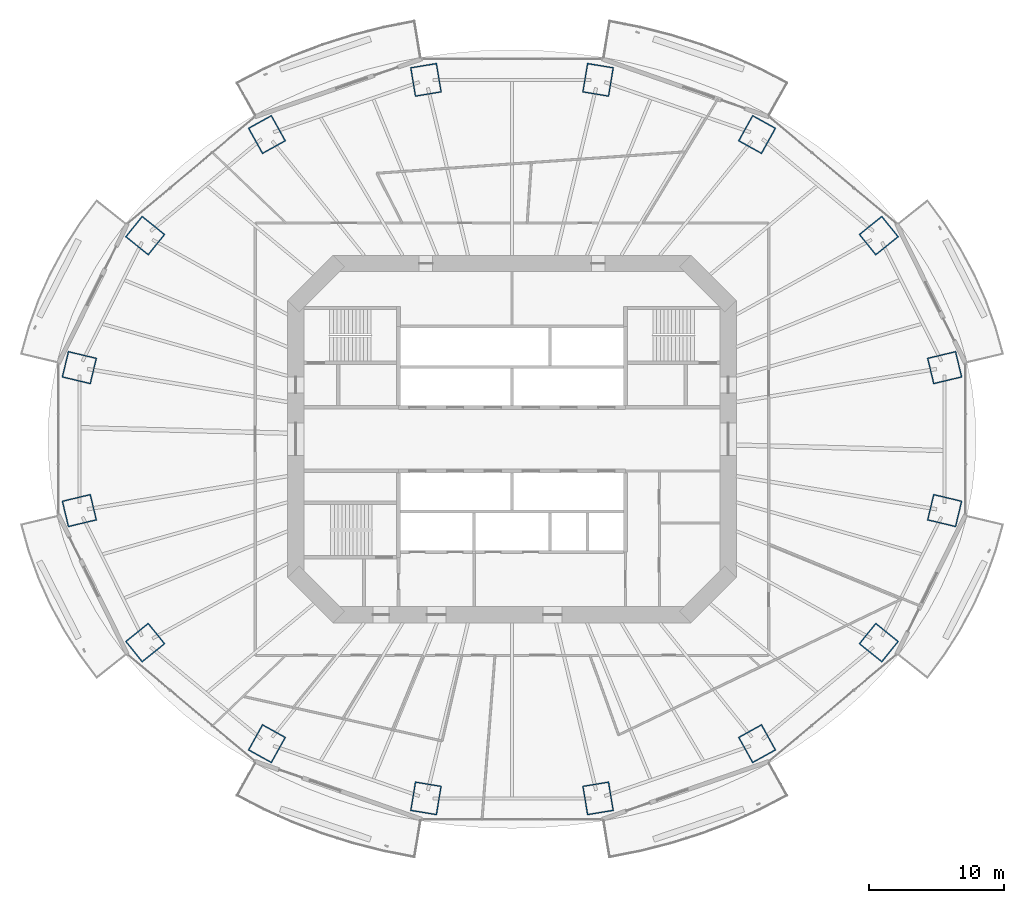
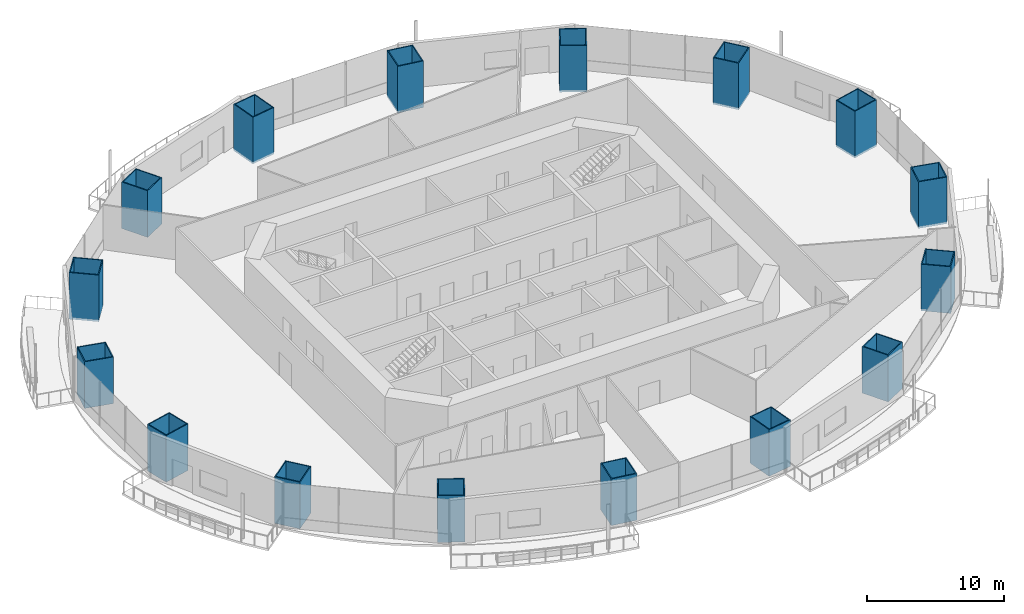
# One storey, part 1 of 22: 16 columns.
"""IFC4 building model written with IfcOpenShell, lengths in metres."""

from ifc_helpers import new_model, si_unit, direction, frame, origin, origin_2d, place, context, subcontext, project, spatial, rectangle, hollow_rectangle, extrude, material, material_profile, profile_set, type_object, element, save


model = new_model("IFC4")

# Units and contexts
model_context = context("Model", 3, precision=1e-05, world=origin(), true_north=direction((0.0, 1.0)))
body_context = subcontext(model_context, "Body", "Model", "MODEL_VIEW")
ifc_project = project(units=[si_unit("LENGTHUNIT", "METRE"), si_unit("AREAUNIT", "SQUARE_METRE"), si_unit("VOLUMEUNIT", "CUBIC_METRE"), si_unit("PLANEANGLEUNIT", "RADIAN"), si_unit("MASSUNIT", "GRAM", prefix="KILO")], contexts=[model_context])

# Site, building, storey
site_placement = place(None, origin())
site = spatial("IfcSite", under=ifc_project, at=site_placement, CompositionType="ELEMENT")
building_placement = place(site_placement, origin())
building = spatial("IfcBuilding", under=site, at=building_placement, Name="Marenthal Gate Tower", CompositionType="ELEMENT")
storey_placement = place(building_placement, frame((0.0, 0.0, 116.0)))
storey = spatial("IfcBuildingStorey", under=building, at=storey_placement, Name="L24", CompositionType="ELEMENT", Elevation=116.0)

# Columns
ifc_material_1 = material(Name="Steel S460", Category="steel")
ifc_material_profile_1 = material_profile(ifc_material_1, hollow_rectangle(XDim=2.0, YDim=2.199951171875, WallThickness=0.080078125, at=origin_2d()), Name="CFT BOX 2200X2000X80")
ifc_material_2 = material(Name="Concrete 70 MPa", Category="concrete")
ifc_material_profile_2 = material_profile(ifc_material_2, rectangle(XDim=1.840087890625, YDim=2.0400390625, at=origin_2d()), Name="CFT BOX 2200X2000X80 INFILL")
ifc_profile_set = profile_set([ifc_material_profile_1, ifc_material_profile_2], Name="Steel S460 shell, Concrete 70 MPa infill")
column_type = type_object("IfcColumnType", Name="CFT BOX 2200X2000X80", PredefinedType="COLUMN", material=ifc_profile_set)
for number, where, z_axis, x_axis, name in (
    (1, (32.018798828125, 5.28857421875, -0.179931640625), (0.0, 0.0, 1.0), (0.232958265263, -0.972486733403, 0.0), "COL-L24-01"),
    (2, (27.144287109375, 15.060302734375, -0.179931640625), (0.0, 0.0, 1.0), (0.626917966941, -0.779085273078, 0.0), "COL-L24-02"),
    (3, (18.13720703125, 22.53955078125, -0.179931640625), (0.0, 0.0, 1.0), (0.874426715146, -0.485157623706, 0.0), "COL-L24-03"),
    (4, (6.368896484375, 26.587158203125, -0.179931640625), (0.0, 0.0, 1.0), (0.986632526278, -0.1629609097, 0.0), "COL-L24-04"),
    (5, (-6.368896484375, 26.587158203125, -0.179931640625), (0.0, 0.0, 1.0), (0.986632526278, 0.1629609097, 0.0), "COL-L24-05"),
    (6, (-18.13720703125, 22.53955078125, -0.179931640625), (0.0, 0.0, 1.0), (0.874426715146, 0.485157623706, 0.0), "COL-L24-06"),
    (7, (-27.144287109375, 15.060302734375, -0.179931640625), (0.0, 0.0, 1.0), (0.626917966941, 0.779085273078, 0.0), "COL-L24-07"),
    (8, (-32.018798828125, 5.28857421875, -0.179931640625), (0.0, 0.0, 1.0), (0.232958265263, 0.972486733403, 0.0), "COL-L24-08"),
    (9, (-32.018798828125, -5.28857421875, -0.179931640625), (0.0, 0.0, 1.0), (-0.232958265263, 0.972486733403, 0.0), "COL-L24-09"),
    (10, (-27.144287109375, -15.060302734375, -0.179931640625), (0.0, 0.0, 1.0), (-0.626917966941, 0.779085273078, 0.0), "COL-L24-10"),
    (11, (-18.13720703125, -22.53955078125, -0.179931640625), (0.0, 0.0, 1.0), (-0.874426715146, 0.485157623706, 0.0), "COL-L24-11"),
    (12, (-6.368896484375, -26.587158203125, -0.179931640625), (0.0, 0.0, 1.0), (-0.986632526278, 0.1629609097, 0.0), "COL-L24-12"),
    (13, (6.368896484375, -26.587158203125, -0.179931640625), (0.0, 0.0, 1.0), (-0.986632526278, -0.1629609097, 0.0), "COL-L24-13"),
    (14, (18.13720703125, -22.53955078125, -0.179931640625), (0.0, 0.0, 1.0), (-0.874426715146, -0.485157623706, 0.0), "COL-L24-14"),
    (15, (27.144287109375, -15.060302734375, -0.179931640625), (0.0, 0.0, 1.0), (-0.626917966941, -0.779085273078, 0.0), "COL-L24-15"),
    (16, (32.018798828125, -5.28857421875, -0.179931640625), (0.0, 0.0, 1.0), (-0.232958265263, -0.972486733403, 0.0), "COL-L24-16"),
):
    element("IfcColumn", number, at=place(storey_placement, frame(where, z_axis=z_axis, x_axis=x_axis)), inside=storey, type_object=column_type, Name=name, PredefinedType="COLUMN", context=body_context, shape_type="SweptSolid", body=[
        extrude(hollow_rectangle(XDim=2.0, YDim=2.199951171875, WallThickness=0.080078125, at=origin_2d()), origin(), (0.0, 0.0, 1.0), 4.14990234375),
    ])

save(model, "model.ifc")
